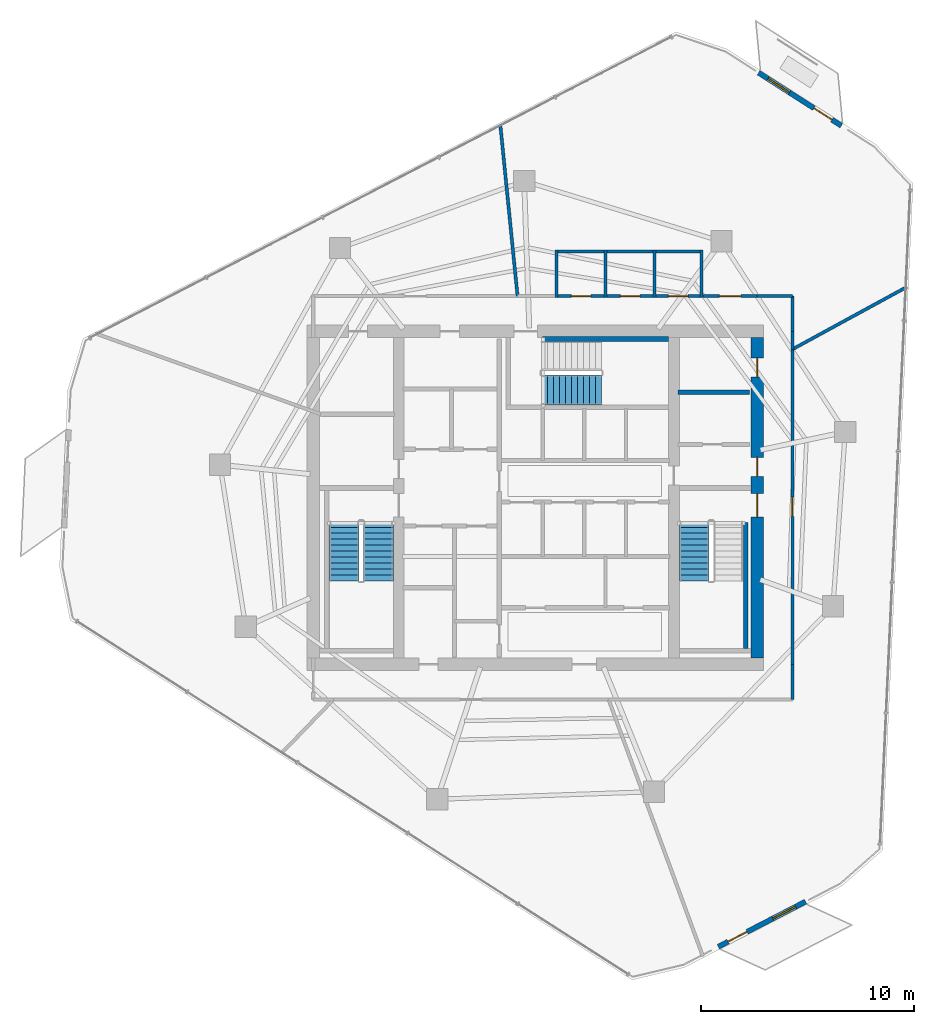
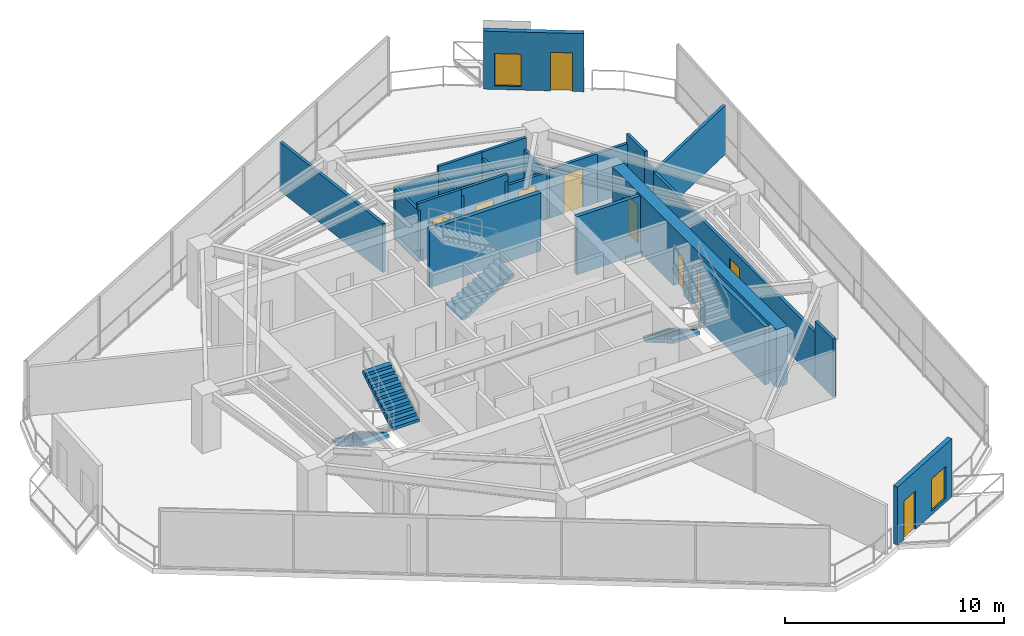
# One storey, part 17 of 20: 24 walls, 10 doors, 4 stair flights, 2 windows, 12 openings, 3 elements without a shape of their own.
"""IFC4 building model written with IfcOpenShell, lengths in metres."""

from ifc_helpers import new_model, si_unit, direction, frame, frame_2d, origin, place, context, subcontext, project, spatial, polyline, rectangle, outline, extrude, material, layer, layer_set, type_object, element, fill, aggregate, save


model = new_model("IFC4")

# Units and contexts
model_context = context("Model", 3, precision=1e-05, world=origin(), true_north=direction((0.0, 1.0)))
body_context = subcontext(model_context, "Body", "Model", "MODEL_VIEW")
ifc_project = project(units=[si_unit("LENGTHUNIT", "METRE"), si_unit("AREAUNIT", "SQUARE_METRE"), si_unit("VOLUMEUNIT", "CUBIC_METRE"), si_unit("PLANEANGLEUNIT", "RADIAN"), si_unit("MASSUNIT", "GRAM", prefix="KILO")], contexts=[model_context])

# Site, building, storey
site_placement = place(None, origin())
site = spatial("IfcSite", under=ifc_project, at=site_placement, CompositionType="ELEMENT")
building_placement = place(site_placement, origin())
building = spatial("IfcBuilding", under=site, at=building_placement, Name="Qarnah Convention Tower", CompositionType="ELEMENT")
storey_placement = place(building_placement, frame((0.0, 0.0, 168.89990234375)))
storey = spatial("IfcBuildingStorey", under=building, at=storey_placement, Name="L45", CompositionType="ELEMENT", Elevation=168.89990234375)

# Wall, openings, doors
ifc_material_1 = material(Name="Concrete C60/75", Category="concrete")
ifc_layer_1 = layer(ifc_material_1, 0.60009765625)
ifc_layer_set_1 = layer_set([ifc_layer_1], Name="Concrete C60/75")
wall_type_1 = type_object("IfcWallType", Name="WL-CORE-600", PredefinedType="SHEAR", material=ifc_layer_set_1)
wall_1_placement = place(storey_placement, frame((47.60009765625, 18.89990234375, 0.0), z_axis=(0.0, 0.0, 1.0), x_axis=(0.0, 1.0, 0.0)))
wall_1 = element("IfcWall", 1, at=wall_1_placement, inside=storey, type_object=wall_type_1, Name="L45 core east shear wall", PredefinedType="SHEAR", context=body_context, shape_type="SweptSolid", body=[
    extrude(rectangle(XDim=15.0, YDim=0.60009765625, at=frame_2d((7.5, 0.0))), origin(), (0.0, 0.0, 1.0), 3.239990234375),
])
opening_1_placement = place(wall_1_placement, frame((6.60009765625, 0.0, 0.0)))
opening_1 = element("IfcOpeningElement", 2, at=opening_1_placement, cuts=wall_1, Name="Opening D-4502", PredefinedType="OPENING", context=body_context, shape_type="SweptSolid", body=[
    extrude(rectangle(XDim=1.10009765625, YDim=2.14990234375, at=frame_2d((0.550048828125, 1.074951171875))), frame((0.0, 0.31005859375, 0.0), z_axis=(0.0, -1.0, 0.0), x_axis=(1.0, 0.0, 0.0)), (0.0, 0.0, 1.0), 0.6201171875),
])
opening_2_placement = place(wall_1_placement, frame((8.5, 0.0, 0.0)))
opening_2 = element("IfcOpeningElement", 3, at=opening_2_placement, cuts=wall_1, Name="Opening D-4506", PredefinedType="OPENING", context=body_context, shape_type="SweptSolid", body=[
    extrude(rectangle(XDim=0.89990234375, YDim=2.10009765625, at=frame_2d((0.449951171875, 1.050048828125))), frame((0.0, 0.31005859375, 0.0), z_axis=(0.0, -1.0, 0.0), x_axis=(1.0, 0.0, 0.0)), (0.0, 0.0, 1.0), 0.6201171875),
])
opening_3_placement = place(wall_1_placement, frame((13.14990234375, 0.0, 0.0)))
opening_3 = element("IfcOpeningElement", 4, at=opening_3_placement, cuts=wall_1, Name="Opening D-4512", PredefinedType="OPENING", context=body_context, shape_type="SweptSolid", body=[
    extrude(rectangle(XDim=0.89990234375, YDim=2.10009765625, at=frame_2d((0.449951171875, 1.050048828125))), frame((0.0, 0.31005859375, 0.0), z_axis=(0.0, -1.0, 0.0), x_axis=(1.0, 0.0, 0.0)), (0.0, 0.0, 1.0), 0.6201171875),
])
ifc_material_2 = material(Name="Structural steel S355JR", Category="steel")
door_type_1 = type_object("IfcDoorType", Name="DT-RISER-900", OperationType="NOTDEFINED", PredefinedType="DOOR", material=ifc_material_2)
door_1_placement = place(opening_2_placement, origin())
door_1 = element("IfcDoor", 5, at=door_1_placement, inside=storey, type_object=door_type_1, Name="Door D-4506", OperationType="SINGLE_SWING_LEFT", OverallHeight=2.10009765625, OverallWidth=0.89990234375, PredefinedType="DOOR", context=body_context, shape_type="SweptSolid", body=[
    extrude(rectangle(XDim=0.89990234375, YDim=2.10009765625, at=frame_2d((0.449951171875, 1.050048828125))), frame((0.0, 0.02490234375, 0.0), z_axis=(0.0, -1.0, 0.0), x_axis=(1.0, 0.0, 0.0)), (0.0, 0.0, 1.0), 0.050048828125),
])
fill(opening_2, door_1)
door_2_placement = place(opening_3_placement, origin())
door_2 = element("IfcDoor", 6, at=door_2_placement, inside=storey, type_object=door_type_1, Name="Door D-4512", OperationType="SINGLE_SWING_LEFT", OverallHeight=2.10009765625, OverallWidth=0.89990234375, PredefinedType="DOOR", context=body_context, shape_type="SweptSolid", body=[
    extrude(rectangle(XDim=0.89990234375, YDim=2.10009765625, at=frame_2d((0.449951171875, 1.050048828125))), frame((0.0, 0.02490234375, 0.0), z_axis=(0.0, -1.0, 0.0), x_axis=(1.0, 0.0, 0.0)), (0.0, 0.0, 1.0), 0.050048828125),
])
fill(opening_3, door_2)
door_type_2 = type_object("IfcDoorType", Name="DT-STAIR-1100", OperationType="NOTDEFINED", PredefinedType="DOOR", material=ifc_material_2)
door_3_placement = place(opening_1_placement, origin())
door_3 = element("IfcDoor", 7, at=door_3_placement, inside=storey, type_object=door_type_2, Name="Door D-4502", OperationType="SINGLE_SWING_LEFT", OverallHeight=2.14990234375, OverallWidth=1.10009765625, PredefinedType="DOOR", context=body_context, shape_type="SweptSolid", body=[
    extrude(rectangle(XDim=1.10009765625, YDim=2.14990234375, at=frame_2d((0.550048828125, 1.074951171875))), frame((0.0, 0.02490234375, 0.0), z_axis=(0.0, -1.0, 0.0), x_axis=(1.0, 0.0, 0.0)), (0.0, 0.0, 1.0), 0.050048828125),
])
fill(opening_1, door_3)

# Walls
ifc_material_3 = material(Name="Concrete C45/55", Category="concrete")
ifc_layer_2 = layer(ifc_material_3, 0.199951171875)
ifc_layer_set_2 = layer_set([ifc_layer_2], Name="Concrete C45/55")
wall_type_2 = type_object("IfcWallType", Name="WL-CORE-PART-200", PredefinedType="SOLIDWALL", material=ifc_layer_set_2)
wall_2_placement = place(storey_placement, frame((43.89990234375, 31.35009765625, 0.0), z_axis=(0.0, 0.0, 1.0), x_axis=(1.0, 0.0, 0.0)))
element("IfcWall", 8, at=wall_2_placement, inside=storey, type_object=wall_type_2, Name="L45 interior wall IW-L45-WTRN", PredefinedType="SOLIDWALL", context=body_context, shape_type="SweptSolid", body=[
    extrude(rectangle(XDim=3.35009765625, YDim=0.199951171875, at=frame_2d((1.675048828125, 0.0))), origin(), (0.0, 0.0, 1.0), 3.239990234375),
])
ifc_layer_3 = layer(ifc_material_1, 0.219970703125)
ifc_layer_set_3 = layer_set([ifc_layer_3], Name="Concrete C60/75")
wall_type_3 = type_object("IfcWallType", Name="WL-CORE-STAIR-220", PredefinedType="SHEAR", material=ifc_layer_set_3)
for number, where, z_axis, x_axis, name in (
    (9, (47.06005859375, 19.35009765625, 0.0), (0.0, 0.0, 1.0), (0.0, 1.0, 0.0), "L45 stair shaft shear wall SW-L45-ST2E"),
    (10, (37.550048828125, 33.840087890625, 0.0), (0.0, 0.0, 1.0), (1.0, 0.0, 0.0), "L45 stair shaft shear wall SW-L45-ST3N"),
):
    element("IfcWall", number, at=place(storey_placement, frame(where, z_axis=z_axis, x_axis=x_axis)), inside=storey, type_object=wall_type_3, Name=name, PredefinedType="SHEAR", context=body_context, shape_type="SweptSolid", body=[
        extrude(rectangle(XDim=5.89990234375, YDim=0.219970703125, at=frame_2d((2.949951171875, 0.0))), origin(), (0.0, 0.0, 1.0), 3.239990234375),
    ])

# Wall, openings, door, window
ifc_material_4 = material(Name="Precast concrete C45/55", Category="concrete")
ifc_layer_4 = layer(ifc_material_4, 0.239990234375)
ifc_layer_set_4 = layer_set([ifc_layer_4], Name="Precast concrete C45/55")
wall_type_4 = type_object("IfcWallType", Name="WL-EXT-BAL-240", PredefinedType="SOLIDWALL", material=ifc_layer_set_4)
wall_3_placement = place(storey_placement, frame((47.6669921875, 46.31591796875, 0.0), z_axis=(0.0, 0.0, 1.0), x_axis=(0.842115227399, -0.539297639326, 0.0)))
wall_3 = element("IfcWall", 11, at=wall_3_placement, inside=storey, type_object=wall_type_4, Name="L45 loggia threshold wall BAL-L45-C1", PredefinedType="SOLIDWALL", context=body_context, shape_type="SweptSolid", body=[
    extrude(rectangle(XDim=4.600341796875, YDim=0.239990234375, at=frame_2d((2.30029296875, 0.0))), origin(), (0.0, 0.0, 1.0), 3.239990234375),
])
opening_4_placement = place(wall_3_placement, frame((3.080078125, 0.0, 0.0)))
opening_4 = element("IfcOpeningElement", 12, at=opening_4_placement, cuts=wall_3, Name="Opening BD-4501", PredefinedType="OPENING", context=body_context, shape_type="SweptSolid", body=[
    extrude(rectangle(XDim=1.0, YDim=2.14990234375, at=frame_2d((0.5, 1.074951171875))), frame((0.0, 0.1298828125, 0.0), z_axis=(0.0, -1.0, 0.0), x_axis=(1.0, 0.0, 0.0)), (0.0, 0.0, 1.0), 0.260009765625),
])
opening_5_placement = place(wall_3_placement, frame((0.52001953125, 0.0, 0.199951171875)))
opening_5 = element("IfcOpeningElement", 13, at=opening_5_placement, cuts=wall_3, Name="Opening WN5", PredefinedType="OPENING", context=body_context, shape_type="SweptSolid", body=[
    extrude(rectangle(XDim=1.199951171875, YDim=1.800048828125, at=frame_2d((0.60009765625, 0.89990234375))), frame((0.0, 0.1298828125, 0.0), z_axis=(0.0, -1.0, 0.0), x_axis=(1.0, 0.0, 0.0)), (0.0, 0.0, 1.0), 0.260009765625),
])
ifc_material_5 = material(Name="Black anodised aluminium", Category="aluminium")
door_type_3 = type_object("IfcDoorType", Name="DT-BAL-1000", OperationType="NOTDEFINED", PredefinedType="DOOR", material=ifc_material_5)
door_4_placement = place(opening_4_placement, origin())
door_4 = element("IfcDoor", 14, at=door_4_placement, inside=storey, type_object=door_type_3, Name="L45 balcony terrace door BAL-L45-C1", OperationType="SINGLE_SWING_RIGHT", OverallHeight=2.14990234375, OverallWidth=1.0, PredefinedType="DOOR", context=body_context, shape_type="SweptSolid", body=[
    extrude(rectangle(XDim=1.0, YDim=2.14990234375, at=frame_2d((0.5, 1.074951171875))), frame((0.0, 0.02490234375, 0.0), z_axis=(0.0, -1.0, 0.0), x_axis=(1.0, 0.0, 0.0)), (0.0, 0.0, 1.0), 0.050048828125),
])
fill(opening_4, door_4)
ifc_material_6 = material(Name="Tempered Low-E dark glass", Category="glass")
window_type = type_object("IfcWindowType", Name="WT-BAL-1200X1800", PartitioningType="SINGLE_PANEL", PredefinedType="WINDOW", material=ifc_material_6)
window_1_placement = place(opening_5_placement, origin())
window_1 = element("IfcWindow", 15, at=window_1_placement, inside=storey, type_object=window_type, Name="Window BW-BAL-L45-C1", OverallHeight=1.800048828125, OverallWidth=1.199951171875, PartitioningType="SINGLE_PANEL", PredefinedType="WINDOW", context=body_context, shape_type="SweptSolid", body=[
    extrude(rectangle(XDim=1.199951171875, YDim=1.800048828125, at=frame_2d((0.60009765625, 0.89990234375))), frame((0.0, 0.030029296875, 0.0), z_axis=(0.0, -1.0, 0.0), x_axis=(1.0, 0.0, 0.0)), (0.0, 0.0, 1.0), 0.06005859375),
])
fill(opening_5, window_1)

wall_4_placement = place(storey_placement, frame((49.864990234375, 7.47998046875, 0.0), z_axis=(0.0, 0.0, 1.0), x_axis=(-0.888164617915, -0.459525419845, 0.0)))
wall_4 = element("IfcWall", 16, at=wall_4_placement, inside=storey, type_object=wall_type_4, Name="L45 loggia threshold wall BAL-L45-C3", PredefinedType="SOLIDWALL", context=body_context, shape_type="SweptSolid", body=[
    extrude(rectangle(XDim=4.600341796875, YDim=0.239990234375, at=frame_2d((2.30029296875, 0.0))), origin(), (0.0, 0.0, 1.0), 3.239990234375),
])
opening_6_placement = place(wall_4_placement, frame((3.080078125, 0.0, 0.0)))
opening_6 = element("IfcOpeningElement", 17, at=opening_6_placement, cuts=wall_4, Name="Opening BD-4503", PredefinedType="OPENING", context=body_context, shape_type="SweptSolid", body=[
    extrude(rectangle(XDim=1.0, YDim=2.14990234375, at=frame_2d((0.5, 1.074951171875))), frame((0.0, 0.1298828125, 0.0), z_axis=(0.0, -1.0, 0.0), x_axis=(1.0, 0.0, 0.0)), (0.0, 0.0, 1.0), 0.260009765625),
])
opening_7_placement = place(wall_4_placement, frame((0.52001953125, 0.0, 0.199951171875)))
opening_7 = element("IfcOpeningElement", 18, at=opening_7_placement, cuts=wall_4, Name="Opening WN5", PredefinedType="OPENING", context=body_context, shape_type="SweptSolid", body=[
    extrude(rectangle(XDim=1.199951171875, YDim=1.800048828125, at=frame_2d((0.60009765625, 0.89990234375))), frame((0.0, 0.1298828125, 0.0), z_axis=(0.0, -1.0, 0.0), x_axis=(1.0, 0.0, 0.0)), (0.0, 0.0, 1.0), 0.260009765625),
])
door_5_placement = place(opening_6_placement, origin())
door_5 = element("IfcDoor", 19, at=door_5_placement, inside=storey, type_object=door_type_3, Name="L45 balcony terrace door BAL-L45-C3", OperationType="SINGLE_SWING_RIGHT", OverallHeight=2.14990234375, OverallWidth=1.0, PredefinedType="DOOR", context=body_context, shape_type="SweptSolid", body=[
    extrude(rectangle(XDim=1.0, YDim=2.14990234375, at=frame_2d((0.5, 1.074951171875))), frame((0.0, 0.02490234375, 0.0), z_axis=(0.0, -1.0, 0.0), x_axis=(1.0, 0.0, 0.0)), (0.0, 0.0, 1.0), 0.050048828125),
])
fill(opening_6, door_5)
window_2_placement = place(opening_7_placement, origin())
window_2 = element("IfcWindow", 20, at=window_2_placement, inside=storey, type_object=window_type, Name="Window BW-BAL-L45-C3", OverallHeight=1.800048828125, OverallWidth=1.199951171875, PartitioningType="SINGLE_PANEL", PredefinedType="WINDOW", context=body_context, shape_type="SweptSolid", body=[
    extrude(rectangle(XDim=1.199951171875, YDim=1.800048828125, at=frame_2d((0.60009765625, 0.89990234375))), frame((0.0, 0.030029296875, 0.0), z_axis=(0.0, -1.0, 0.0), x_axis=(1.0, 0.0, 0.0)), (0.0, 0.0, 1.0), 0.06005859375),
])
fill(opening_7, window_2)

# Wall
ifc_material_7 = material(Name="Gypsum partition board")
ifc_layer_5 = layer(ifc_material_7, 0.14990234375)
ifc_layer_set_5 = layer_set([ifc_layer_5], Name="Gypsum partition board")
wall_type_5 = type_object("IfcWallType", Name="WL-SUITE-150", PredefinedType="PARTITIONING", material=ifc_layer_set_5)
wall_5_placement = place(storey_placement, frame((35.56298828125, 43.89794921875, 0.0), z_axis=(0.0, 0.0, 1.0), x_axis=(0.100149208892, -0.994972429748, 0.0)))
element("IfcWall", 21, at=wall_5_placement, inside=storey, type_object=wall_type_5, Name="L45 interior wall IW-L45-R-11", PredefinedType="PARTITIONING", context=body_context, shape_type="SweptSolid", body=[
    extrude(rectangle(XDim=8.088623046875, YDim=0.14990234375, at=frame_2d((4.04443359375, 0.0))), origin(), (0.0, 0.0, 1.0), 2.72509765625),
])

# Wall, opening, door
wall_6_placement = place(storey_placement, frame((45.070068359375, 35.85009765625, 0.0), z_axis=(0.0, 0.0, 1.0), x_axis=(1.0, 0.0, 0.0)))
wall_6 = element("IfcWall", 22, at=wall_6_placement, inside=storey, type_object=wall_type_5, Name="L45 interior wall IW-L45-R-13", PredefinedType="PARTITIONING", context=body_context, shape_type="SweptSolid", body=[
    extrude(rectangle(XDim=2.530029296875, YDim=0.14990234375, at=frame_2d((1.26513671875, 0.0))), origin(), (0.0, 0.0, 1.0), 2.72509765625),
])
opening_8_placement = place(wall_6_placement, frame((0.764892578125, 0.0, 0.0)))
opening_8 = element("IfcOpeningElement", 23, at=opening_8_placement, cuts=wall_6, Name="Opening D-4521", PredefinedType="OPENING", context=body_context, shape_type="SweptSolid", body=[
    extrude(rectangle(XDim=1.0, YDim=2.14990234375, at=frame_2d((0.5, 1.074951171875))), frame((0.0, 0.0849609375, 0.0), z_axis=(0.0, -1.0, 0.0), x_axis=(1.0, 0.0, 0.0)), (0.0, 0.0, 1.0), 0.169921875),
])
ifc_material_8 = material(Name="Oak timber veneer", Category="wood")
door_type_4 = type_object("IfcDoorType", Name="DT-OFFICE-1000", OperationType="NOTDEFINED", PredefinedType="DOOR", material=ifc_material_8)
door_6_placement = place(opening_8_placement, origin())
door_6 = element("IfcDoor", 24, at=door_6_placement, inside=storey, type_object=door_type_4, Name="Door D-4521", OperationType="SINGLE_SWING_RIGHT", OverallHeight=2.14990234375, OverallWidth=1.0, PredefinedType="DOOR", context=body_context, shape_type="SweptSolid", body=[
    extrude(rectangle(XDim=1.0, YDim=2.14990234375, at=frame_2d((0.5, 1.074951171875))), frame((0.0, 0.02490234375, 0.0), z_axis=(0.0, -1.0, 0.0), x_axis=(1.0, 0.0, 0.0)), (0.0, 0.0, 1.0), 0.050048828125),
])
fill(opening_8, door_6)

# Walls
wall_7_placement = place(storey_placement, frame((47.60009765625, 35.85009765625, 0.0), z_axis=(0.0, 0.0, 1.0), x_axis=(1.0, 0.0, 0.0)))
element("IfcWall", 25, at=wall_7_placement, inside=storey, type_object=wall_type_5, Name="L45 interior wall IW-L45-R-14", PredefinedType="PARTITIONING", context=body_context, shape_type="SweptSolid", body=[
    extrude(rectangle(XDim=1.64990234375, YDim=0.14990234375, at=frame_2d((0.824951171875, 0.0))), origin(), (0.0, 0.0, 1.0), 2.72509765625),
])
wall_8_placement = place(storey_placement, frame((49.25, 35.85009765625, 0.0), z_axis=(0.0, 0.0, 1.0), x_axis=(0.0, -1.0, 0.0)))
element("IfcWall", 26, at=wall_8_placement, inside=storey, type_object=wall_type_5, Name="L45 interior wall IW-L45-R-15", PredefinedType="PARTITIONING", context=body_context, shape_type="SweptSolid", body=[
    extrude(rectangle(XDim=1.650146484375, YDim=0.14990234375, at=frame_2d((0.8251953125, 0.0))), origin(), (0.0, 0.0, 1.0), 3.239990234375),
])
wall_9_placement = place(storey_placement, frame((49.25, 34.199951171875, 0.0), z_axis=(0.0, 0.0, 1.0), x_axis=(0.0, -1.0, 0.0)))
element("IfcWall", 27, at=wall_9_placement, inside=storey, type_object=wall_type_5, Name="L45 interior wall IW-L45-R-16", PredefinedType="PARTITIONING", context=body_context, shape_type="SweptSolid", body=[
    extrude(rectangle(XDim=0.843017578125, YDim=0.14990234375, at=frame_2d((0.42138671875, 0.0))), origin(), (0.0, 0.0, 1.0), 2.72509765625),
])
wall_10_placement = place(storey_placement, frame((49.25, 33.35693359375, 0.0), z_axis=(0.0, 0.0, 1.0), x_axis=(0.878028313276, 0.478608693074, 0.0)))
element("IfcWall", 28, at=wall_10_placement, inside=storey, type_object=wall_type_5, Name="L45 interior wall IW-L45-R-17", PredefinedType="PARTITIONING", context=body_context, shape_type="SweptSolid", body=[
    extrude(rectangle(XDim=6.113525390625, YDim=0.14990234375, at=frame_2d((3.056640625, 0.0))), origin(), (0.0, 0.0, 1.0), 2.72509765625),
])

# Wall, opening, door
wall_11_placement = place(storey_placement, frame((49.25, 33.35693359375, 0.0), z_axis=(0.0, 0.0, 1.0), x_axis=(0.0, -1.0, 0.0)))
wall_11 = element("IfcWall", 29, at=wall_11_placement, inside=storey, type_object=wall_type_5, Name="L45 interior wall IW-L45-R-26", PredefinedType="PARTITIONING", context=body_context, shape_type="SweptSolid", body=[
    extrude(rectangle(XDim=14.7568359375, YDim=0.14990234375, at=frame_2d((7.37841796875, 0.0))), origin(), (0.0, 0.0, 1.0), 2.607177734375),
])
opening_9_placement = place(wall_11_placement, frame((6.927978515625, 0.0, 0.0)))
opening_9 = element("IfcOpeningElement", 30, at=opening_9_placement, cuts=wall_11, Name="Opening D-4525", PredefinedType="OPENING", context=body_context, shape_type="SweptSolid", body=[
    extrude(rectangle(XDim=0.89990234375, YDim=2.0, at=frame_2d((0.449951171875, 1.0))), frame((0.0, 0.0849609375, 0.0), z_axis=(0.0, -1.0, 0.0), x_axis=(1.0, 0.0, 0.0)), (0.0, 0.0, 1.0), 0.169921875),
])
door_type_5 = type_object("IfcDoorType", Name="DT-PLANT-900", OperationType="NOTDEFINED", PredefinedType="DOOR", material=ifc_material_2)
door_7_placement = place(opening_9_placement, origin())
door_7 = element("IfcDoor", 31, at=door_7_placement, inside=storey, type_object=door_type_5, Name="Door D-4525", OperationType="SINGLE_SWING_RIGHT", OverallHeight=2.0, OverallWidth=0.89990234375, PredefinedType="DOOR", context=body_context, shape_type="SweptSolid", body=[
    extrude(rectangle(XDim=0.89990234375, YDim=2.0, at=frame_2d((0.449951171875, 1.0))), frame((0.0, 0.02490234375, 0.0), z_axis=(0.0, -1.0, 0.0), x_axis=(1.0, 0.0, 0.0)), (0.0, 0.0, 1.0), 0.050048828125),
])
fill(opening_9, door_7)

# Wall
wall_12_placement = place(storey_placement, frame((49.25, 18.60009765625, 0.0), z_axis=(0.0, 0.0, 1.0), x_axis=(0.0, -1.0, 0.0)))
element("IfcWall", 32, at=wall_12_placement, inside=storey, type_object=wall_type_5, Name="L45 interior wall IW-L45-R-27", PredefinedType="PARTITIONING", context=body_context, shape_type="SweptSolid", body=[
    extrude(rectangle(XDim=1.650146484375, YDim=0.14990234375, at=frame_2d((0.8251953125, 0.0))), origin(), (0.0, 0.0, 1.0), 3.239990234375),
])

# Wall, opening, door
ifc_layer_6 = layer(ifc_material_7, 0.139892578125)
ifc_layer_set_6 = layer_set([ifc_layer_6], Name="Gypsum partition board")
wall_type_6 = type_object("IfcWallType", Name="WL-WET-140", PredefinedType="PARTITIONING", material=ifc_layer_set_6)
wall_13_placement = place(storey_placement, frame((38.1298828125, 35.85009765625, 0.0), z_axis=(0.0, 0.0, 1.0), x_axis=(1.0, 0.0, 0.0)))
wall_13 = element("IfcWall", 33, at=wall_13_placement, inside=storey, type_object=wall_type_6, Name="L45 interior wall IW-L45-WCM-1", PredefinedType="PARTITIONING", context=body_context, shape_type="SweptSolid", body=[
    extrude(rectangle(XDim=2.440185546875, YDim=0.139892578125, at=frame_2d((1.22021484375, 0.0))), origin(), (0.0, 0.0, 1.0), 3.239990234375),
])
opening_10_placement = place(wall_13_placement, frame((0.760009765625, 0.0, 0.0)))
opening_10 = element("IfcOpeningElement", 34, at=opening_10_placement, cuts=wall_13, Name="Opening D-4518", PredefinedType="OPENING", context=body_context, shape_type="SweptSolid", body=[
    extrude(rectangle(XDim=0.919921875, YDim=2.10009765625, at=frame_2d((0.4599609375, 1.050048828125))), frame((0.0, 0.079833984375, 0.0), z_axis=(0.0, -1.0, 0.0), x_axis=(1.0, 0.0, 0.0)), (0.0, 0.0, 1.0), 0.159912109375),
])
door_type_6 = type_object("IfcDoorType", Name="DT-WC-920", OperationType="NOTDEFINED", PredefinedType="DOOR", material=ifc_material_8)
door_8_placement = place(opening_10_placement, origin())
door_8 = element("IfcDoor", 35, at=door_8_placement, inside=storey, type_object=door_type_6, Name="Door D-4518", OperationType="SINGLE_SWING_LEFT", OverallHeight=2.10009765625, OverallWidth=0.919921875, PredefinedType="DOOR", context=body_context, shape_type="SweptSolid", body=[
    extrude(rectangle(XDim=0.919921875, YDim=2.10009765625, at=frame_2d((0.4599609375, 1.050048828125))), frame((0.0, 0.02490234375, 0.0), z_axis=(0.0, -1.0, 0.0), x_axis=(1.0, 0.0, 0.0)), (0.0, 0.0, 1.0), 0.050048828125),
])
fill(opening_10, door_8)

# Walls
wall_14_placement = place(storey_placement, frame((40.5, 35.780029296875, 0.0), z_axis=(0.0, 0.0, 1.0), x_axis=(0.0, 1.0, 0.0)))
element("IfcWall", 36, at=wall_14_placement, inside=storey, type_object=wall_type_6, Name="L45 interior wall IW-L45-WCM-2", PredefinedType="PARTITIONING", context=body_context, shape_type="SweptSolid", body=[
    extrude(rectangle(XDim=2.239990234375, YDim=0.139892578125, at=frame_2d((1.1201171875, 0.0))), origin(), (0.0, 0.0, 1.0), 2.869140625),
])
wall_15_placement = place(storey_placement, frame((40.570068359375, 37.949951171875, 0.0), z_axis=(0.0, 0.0, 1.0), x_axis=(-1.0, 0.0, 0.0)))
element("IfcWall", 37, at=wall_15_placement, inside=storey, type_object=wall_type_6, Name="L45 interior wall IW-L45-WCM-3", PredefinedType="PARTITIONING", context=body_context, shape_type="SweptSolid", body=[
    extrude(rectangle(XDim=2.440185546875, YDim=0.139892578125, at=frame_2d((1.22021484375, 0.0))), origin(), (0.0, 0.0, 1.0), 2.869140625),
])
wall_16_placement = place(storey_placement, frame((38.199951171875, 38.02001953125, 0.0), z_axis=(0.0, 0.0, 1.0), x_axis=(0.0, -1.0, 0.0)))
element("IfcWall", 38, at=wall_16_placement, inside=storey, type_object=wall_type_6, Name="L45 interior wall IW-L45-WCM-4", PredefinedType="PARTITIONING", context=body_context, shape_type="SweptSolid", body=[
    extrude(rectangle(XDim=2.239990234375, YDim=0.139892578125, at=frame_2d((1.1201171875, 0.0))), origin(), (0.0, 0.0, 1.0), 2.869140625),
])

# Wall, opening, door
wall_17_placement = place(storey_placement, frame((40.429931640625, 35.85009765625, 0.0), z_axis=(0.0, 0.0, 1.0), x_axis=(1.0, 0.0, 0.0)))
wall_17 = element("IfcWall", 39, at=wall_17_placement, inside=storey, type_object=wall_type_6, Name="L45 interior wall IW-L45-WCF-1", PredefinedType="PARTITIONING", context=body_context, shape_type="SweptSolid", body=[
    extrude(rectangle(XDim=2.440185546875, YDim=0.139892578125, at=frame_2d((1.22021484375, 0.0))), origin(), (0.0, 0.0, 1.0), 3.239990234375),
])
opening_11_placement = place(wall_17_placement, frame((0.760009765625, 0.0, 0.0)))
opening_11 = element("IfcOpeningElement", 40, at=opening_11_placement, cuts=wall_17, Name="Opening D-4519", PredefinedType="OPENING", context=body_context, shape_type="SweptSolid", body=[
    extrude(rectangle(XDim=0.919921875, YDim=2.10009765625, at=frame_2d((0.4599609375, 1.050048828125))), frame((0.0, 0.079833984375, 0.0), z_axis=(0.0, -1.0, 0.0), x_axis=(1.0, 0.0, 0.0)), (0.0, 0.0, 1.0), 0.159912109375),
])
door_9_placement = place(opening_11_placement, origin())
door_9 = element("IfcDoor", 41, at=door_9_placement, inside=storey, type_object=door_type_6, Name="Door D-4519", OperationType="SINGLE_SWING_RIGHT", OverallHeight=2.10009765625, OverallWidth=0.919921875, PredefinedType="DOOR", context=body_context, shape_type="SweptSolid", body=[
    extrude(rectangle(XDim=0.919921875, YDim=2.10009765625, at=frame_2d((0.4599609375, 1.050048828125))), frame((0.0, 0.02490234375, 0.0), z_axis=(0.0, -1.0, 0.0), x_axis=(1.0, 0.0, 0.0)), (0.0, 0.0, 1.0), 0.050048828125),
])
fill(opening_11, door_9)

# Walls
wall_18_placement = place(storey_placement, frame((42.800048828125, 35.780029296875, 0.0), z_axis=(0.0, 0.0, 1.0), x_axis=(0.0, 1.0, 0.0)))
element("IfcWall", 42, at=wall_18_placement, inside=storey, type_object=wall_type_6, Name="L45 interior wall IW-L45-WCF-2", PredefinedType="PARTITIONING", context=body_context, shape_type="SweptSolid", body=[
    extrude(rectangle(XDim=2.239990234375, YDim=0.139892578125, at=frame_2d((1.1201171875, 0.0))), origin(), (0.0, 0.0, 1.0), 2.869140625),
])
wall_19_placement = place(storey_placement, frame((42.8701171875, 37.949951171875, 0.0), z_axis=(0.0, 0.0, 1.0), x_axis=(-1.0, 0.0, 0.0)))
element("IfcWall", 43, at=wall_19_placement, inside=storey, type_object=wall_type_6, Name="L45 interior wall IW-L45-WCF-3", PredefinedType="PARTITIONING", context=body_context, shape_type="SweptSolid", body=[
    extrude(rectangle(XDim=2.440185546875, YDim=0.139892578125, at=frame_2d((1.22021484375, 0.0))), origin(), (0.0, 0.0, 1.0), 3.239990234375),
])

# Wall, opening, door
wall_20_placement = place(storey_placement, frame((42.72998046875, 35.85009765625, 0.0), z_axis=(0.0, 0.0, 1.0), x_axis=(1.0, 0.0, 0.0)))
wall_20 = element("IfcWall", 44, at=wall_20_placement, inside=storey, type_object=wall_type_6, Name="L45 interior wall IW-L45-WCA-1", PredefinedType="PARTITIONING", context=body_context, shape_type="SweptSolid", body=[
    extrude(rectangle(XDim=2.340087890625, YDim=0.139892578125, at=frame_2d((1.169921875, 0.0))), origin(), (0.0, 0.0, 1.0), 2.607177734375),
])
opening_12_placement = place(wall_20_placement, frame((0.7099609375, 0.0, 0.0)))
opening_12 = element("IfcOpeningElement", 45, at=opening_12_placement, cuts=wall_20, Name="Opening D-4520", PredefinedType="OPENING", context=body_context, shape_type="SweptSolid", body=[
    extrude(rectangle(XDim=0.919921875, YDim=2.10009765625, at=frame_2d((0.4599609375, 1.050048828125))), frame((0.0, 0.079833984375, 0.0), z_axis=(0.0, -1.0, 0.0), x_axis=(1.0, 0.0, 0.0)), (0.0, 0.0, 1.0), 0.159912109375),
])
door_10_placement = place(opening_12_placement, origin())
door_10 = element("IfcDoor", 46, at=door_10_placement, inside=storey, type_object=door_type_6, Name="Door D-4520", OperationType="SINGLE_SWING_LEFT", OverallHeight=2.10009765625, OverallWidth=0.919921875, PredefinedType="DOOR", context=body_context, shape_type="SweptSolid", body=[
    extrude(rectangle(XDim=0.919921875, YDim=2.10009765625, at=frame_2d((0.4599609375, 1.050048828125))), frame((0.0, 0.02490234375, 0.0), z_axis=(0.0, -1.0, 0.0), x_axis=(1.0, 0.0, 0.0)), (0.0, 0.0, 1.0), 0.050048828125),
])
fill(opening_12, door_10)

# Walls
wall_21_placement = place(storey_placement, frame((45.0, 35.780029296875, 0.0), z_axis=(0.0, 0.0, 1.0), x_axis=(0.0, 1.0, 0.0)))
element("IfcWall", 47, at=wall_21_placement, inside=storey, type_object=wall_type_6, Name="L45 interior wall IW-L45-WCA-2", PredefinedType="PARTITIONING", context=body_context, shape_type="SweptSolid", body=[
    extrude(rectangle(XDim=2.239990234375, YDim=0.139892578125, at=frame_2d((1.1201171875, 0.0))), origin(), (0.0, 0.0, 1.0), 2.607177734375),
])
wall_22_placement = place(storey_placement, frame((45.070068359375, 37.949951171875, 0.0), z_axis=(0.0, 0.0, 1.0), x_axis=(-1.0, 0.0, 0.0)))
element("IfcWall", 48, at=wall_22_placement, inside=storey, type_object=wall_type_6, Name="L45 interior wall IW-L45-WCA-3", PredefinedType="PARTITIONING", context=body_context, shape_type="SweptSolid", body=[
    extrude(rectangle(XDim=2.340087890625, YDim=0.139892578125, at=frame_2d((1.169921875, 0.0))), origin(), (0.0, 0.0, 1.0), 3.239990234375),
])

# Stair, stair flights
ifc_material_9 = material(Name="Concrete C50/60", Category="concrete")
stair_type = type_object("IfcStairType", Name="STR-OFF", PredefinedType="HALF_TURN_STAIR", material=ifc_material_9)
stair_1_placement = place(storey_placement, origin())
stair_1 = element("IfcStair", 49, at=stair_1_placement, inside=storey, type_object=stair_type, Name="L45 Core exit stair ST-1", PredefinedType="HALF_TURN_STAIR")
stair_flight_type = type_object("IfcStairFlightType", Name="FLT-OFF", PredefinedType="STRAIGHT", material=ifc_material_9)
stair_flight_1_placement = place(storey_placement, frame((28.25, 25.300048828125, 0.0), z_axis=(0.0, 0.0, 1.0), x_axis=(0.0, -1.0, 0.0)))
stair_flight_1 = element("IfcStairFlight", 50, at=stair_flight_1_placement, type_object=stair_flight_type, Name="ST-1 flight 1", NumberOfRisers=11, NumberOfTreads=10, PredefinedType="STRAIGHT", RiserHeight=0.163636364, TreadLength=0.28, context=body_context, shape_type="SweptSolid", body=[
    extrude(outline(polyline([(0.0, 0.0), (0.0, 0.16357421875), (0.280029296875, 0.16357421875), (0.280029296875, 0.327392578125), (0.56005859375, 0.327392578125), (0.56005859375, 0.490966796875), (0.840087890625, 0.490966796875), (0.840087890625, 0.654541015625), (1.1201171875, 0.654541015625), (1.1201171875, 0.818115234375), (1.39990234375, 0.818115234375), (1.39990234375, 0.98193359375), (1.679931640625, 0.98193359375), (1.679931640625, 1.1455078125), (1.9599609375, 1.1455078125), (1.9599609375, 1.30908203125), (2.239990234375, 1.30908203125), (2.239990234375, 1.47265625), (2.52001953125, 1.47265625), (2.52001953125, 1.636474609375), (2.800048828125, 1.636474609375), (2.800048828125, 1.800048828125), (2.800048828125, 1.462646484375), (0.297119140625, 0.0), (0.0, 0.0)])), frame((0.0, 0.699951171875, 0.0), z_axis=(0.0, -1.0, 0.0), x_axis=(1.0, 0.0, 0.0)), (0.0, 0.0, 1.0), 1.39990234375),
])
stair_flight_2_placement = place(storey_placement, frame((29.85009765625, 22.5, 1.800048828125), z_axis=(0.0, 0.0, 1.0), x_axis=(0.0, 1.0, 0.0)))
stair_flight_2 = element("IfcStairFlight", 51, at=stair_flight_2_placement, type_object=stair_flight_type, Name="ST-1 flight 2", NumberOfRisers=11, NumberOfTreads=10, PredefinedType="STRAIGHT", RiserHeight=0.163636364, TreadLength=0.28, context=body_context, shape_type="SweptSolid", body=[
    extrude(outline(polyline([(0.0, 0.0), (0.0, 0.16357421875), (0.280029296875, 0.16357421875), (0.280029296875, 0.327392578125), (0.56005859375, 0.327392578125), (0.56005859375, 0.490966796875), (0.840087890625, 0.490966796875), (0.840087890625, 0.654541015625), (1.1201171875, 0.654541015625), (1.1201171875, 0.818115234375), (1.39990234375, 0.818115234375), (1.39990234375, 0.98193359375), (1.679931640625, 0.98193359375), (1.679931640625, 1.1455078125), (1.9599609375, 1.1455078125), (1.9599609375, 1.30908203125), (2.239990234375, 1.30908203125), (2.239990234375, 1.47265625), (2.52001953125, 1.47265625), (2.52001953125, 1.636474609375), (2.800048828125, 1.636474609375), (2.800048828125, 1.800048828125), (2.800048828125, 1.462646484375), (0.297119140625, 0.0), (0.0, 0.0)])), frame((0.0, 0.699951171875, 0.0), z_axis=(0.0, -1.0, 0.0), x_axis=(1.0, 0.0, 0.0)), (0.0, 0.0, 1.0), 1.39990234375),
])
aggregate(stair_1, [stair_flight_1, stair_flight_2])

# Stair, stair flight
stair_2_placement = place(storey_placement, origin())
stair_2 = element("IfcStair", 52, at=stair_2_placement, inside=storey, type_object=stair_type, Name="L45 Core exit stair ST-2", PredefinedType="HALF_TURN_STAIR")
stair_flight_3_placement = place(storey_placement, frame((44.64990234375, 25.300048828125, 0.0), z_axis=(0.0, 0.0, 1.0), x_axis=(0.0, -1.0, 0.0)))
stair_flight_3 = element("IfcStairFlight", 53, at=stair_flight_3_placement, type_object=stair_flight_type, Name="ST-2 flight 1", NumberOfRisers=11, NumberOfTreads=10, PredefinedType="STRAIGHT", RiserHeight=0.163636364, TreadLength=0.28, context=body_context, shape_type="SweptSolid", body=[
    extrude(outline(polyline([(0.0, 0.0), (0.0, 0.16357421875), (0.280029296875, 0.16357421875), (0.280029296875, 0.327392578125), (0.56005859375, 0.327392578125), (0.56005859375, 0.490966796875), (0.840087890625, 0.490966796875), (0.840087890625, 0.654541015625), (1.1201171875, 0.654541015625), (1.1201171875, 0.818115234375), (1.39990234375, 0.818115234375), (1.39990234375, 0.98193359375), (1.679931640625, 0.98193359375), (1.679931640625, 1.1455078125), (1.9599609375, 1.1455078125), (1.9599609375, 1.30908203125), (2.239990234375, 1.30908203125), (2.239990234375, 1.47265625), (2.52001953125, 1.47265625), (2.52001953125, 1.636474609375), (2.800048828125, 1.636474609375), (2.800048828125, 1.800048828125), (2.800048828125, 1.462646484375), (0.297119140625, 0.0), (0.0, 0.0)])), frame((0.0, 0.699951171875, 0.0), z_axis=(0.0, -1.0, 0.0), x_axis=(1.0, 0.0, 0.0)), (0.0, 0.0, 1.0), 1.39990234375),
])
aggregate(stair_2, [stair_flight_3])

stair_3_placement = place(storey_placement, origin())
stair_3 = element("IfcStair", 54, at=stair_3_placement, inside=storey, type_object=stair_type, Name="L45 Core exit stair ST-3", PredefinedType="HALF_TURN_STAIR")
stair_flight_4_placement = place(storey_placement, frame((37.5, 31.449951171875, 0.0), z_axis=(0.0, 0.0, 1.0), x_axis=(1.0, 0.0, 0.0)))
stair_flight_4 = element("IfcStairFlight", 55, at=stair_flight_4_placement, type_object=stair_flight_type, Name="ST-3 flight 1", NumberOfRisers=11, NumberOfTreads=10, PredefinedType="STRAIGHT", RiserHeight=0.163636364, TreadLength=0.28, context=body_context, shape_type="SweptSolid", body=[
    extrude(outline(polyline([(0.0, 0.0), (0.0, 0.16357421875), (0.280029296875, 0.16357421875), (0.280029296875, 0.327392578125), (0.56005859375, 0.327392578125), (0.56005859375, 0.490966796875), (0.840087890625, 0.490966796875), (0.840087890625, 0.654541015625), (1.1201171875, 0.654541015625), (1.1201171875, 0.818115234375), (1.39990234375, 0.818115234375), (1.39990234375, 0.98193359375), (1.679931640625, 0.98193359375), (1.679931640625, 1.1455078125), (1.9599609375, 1.1455078125), (1.9599609375, 1.30908203125), (2.239990234375, 1.30908203125), (2.239990234375, 1.47265625), (2.52001953125, 1.47265625), (2.52001953125, 1.636474609375), (2.800048828125, 1.636474609375), (2.800048828125, 1.800048828125), (2.800048828125, 1.462646484375), (0.297119140625, 0.0), (0.0, 0.0)])), frame((0.0, 0.699951171875, 0.0), z_axis=(0.0, -1.0, 0.0), x_axis=(1.0, 0.0, 0.0)), (0.0, 0.0, 1.0), 1.39990234375),
])
aggregate(stair_3, [stair_flight_4])

save(model, "model.ifc")
